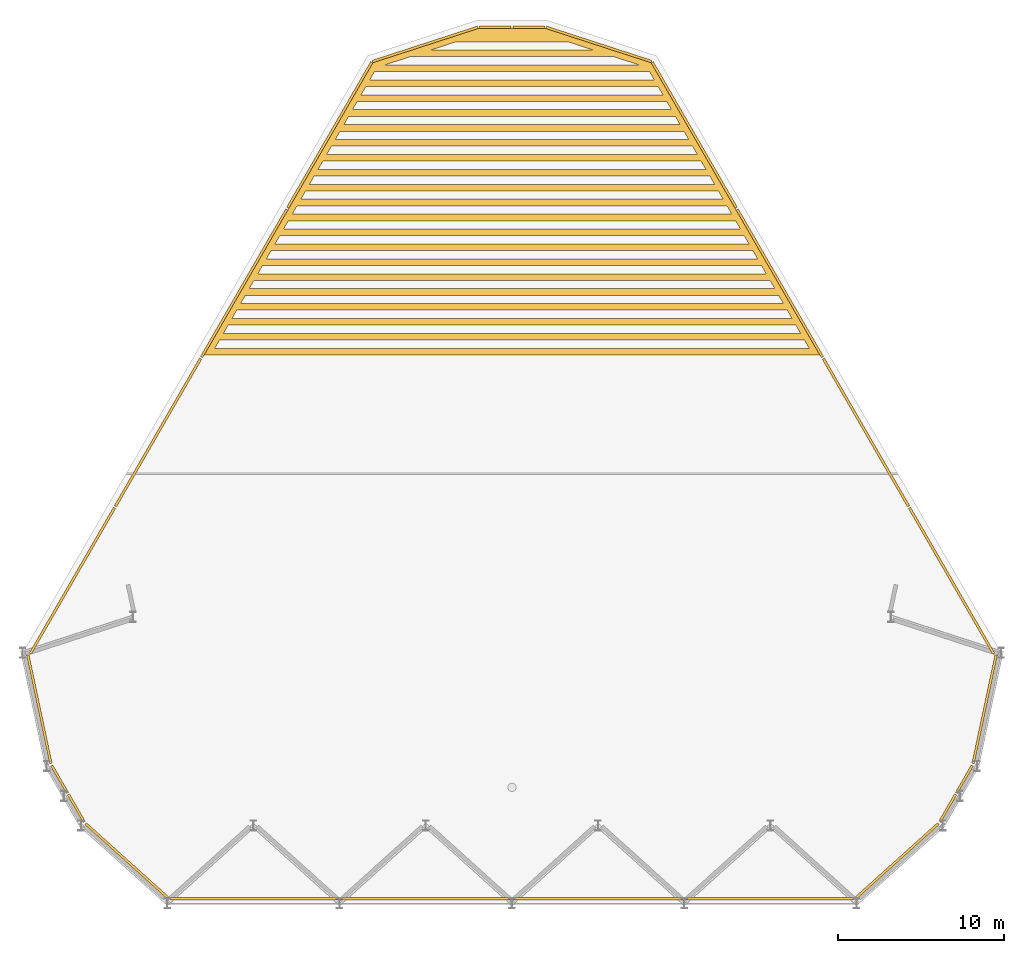
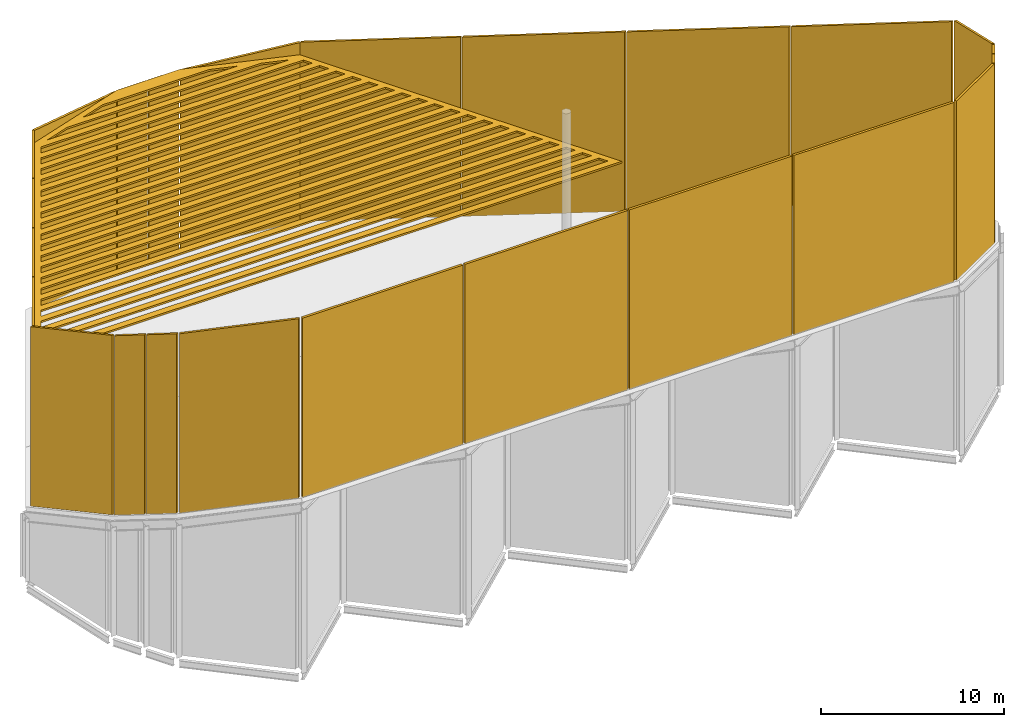
# One storey, part 5 of 5: 24 coverings, 1 shading device.
"""IFC4 building model written with IfcOpenShell, lengths in metres."""

from ifc_helpers import new_model, si_unit, direction, frame, origin, place, context, subcontext, project, spatial, polyline, outline, extrude, material, layer, layer_set, type_object, element, save


model = new_model("IFC4")

# Units and contexts
model_context = context("Model", 3, precision=1e-05, world=origin(), true_north=direction((0.0, 1.0)))
body_context = subcontext(model_context, "Body", "Model", "MODEL_VIEW")
ifc_project = project(units=[si_unit("LENGTHUNIT", "METRE"), si_unit("AREAUNIT", "SQUARE_METRE"), si_unit("VOLUMEUNIT", "CUBIC_METRE"), si_unit("PLANEANGLEUNIT", "RADIAN"), si_unit("MASSUNIT", "GRAM", prefix="KILO")], contexts=[model_context])

# Site, building, storey
site_placement = place(None, origin())
site = spatial("IfcSite", under=ifc_project, at=site_placement, CompositionType="ELEMENT")
building_placement = place(site_placement, origin())
building = spatial("IfcBuilding", under=site, at=building_placement, Name="Cormorant Prow Tower", CompositionType="ELEMENT")
storey_placement = place(building_placement, frame((0.0, 0.0, 447.699951171875)))
storey = spatial("IfcBuildingStorey", under=building, at=storey_placement, Name="L99", CompositionType="ELEMENT", Elevation=447.699951171875)

# Shading device
ifc_material_1 = material(Name="Terracotta", Category="masonry")
ifc_layer_1 = layer(ifc_material_1, 0.1201171875)
ifc_layer_set_1 = layer_set([ifc_layer_1], Name="Terracotta")
shading_device_type = type_object("IfcShadingDeviceType", Name="Crown louvre grille 120", PredefinedType="USERDEFINED", material=ifc_layer_set_1)
shading_device_placement = place(storey_placement, frame((0.0, 0.0, 0.050048828125)))
element("IfcShadingDevice", 1, at=shading_device_placement, inside=storey, type_object=shading_device_type, Name="Crown louvre grille", ObjectType="LOUVRE", PredefinedType="USERDEFINED", context=body_context, shape_type="SweptSolid", body=[
    extrude(outline(polyline([(-1.99462890625, 30.718994140625), (1.99462890625, 30.718994140625), (8.39111328125, 28.640625), (12.23779296875, 21.97802734375), (18.57373046875, 11.00390625), (-18.57373046875, 11.00390625), (-12.23779296875, 21.97802734375), (-8.39111328125, 28.640625), (-1.99462890625, 30.718994140625)]), holes=[polyline([(17.938720703125, 11.40380859375), (-17.938720703125, 11.40380859375), (-17.64990234375, 11.90380859375), (17.64990234375, 11.90380859375), (17.938720703125, 11.40380859375)]), polyline([(17.4189453125, 12.303955078125), (-17.4189453125, 12.303955078125), (-17.13037109375, 12.803955078125), (17.13037109375, 12.803955078125), (17.4189453125, 12.303955078125)]), polyline([(16.8994140625, 13.203857421875), (-16.8994140625, 13.203857421875), (-16.61083984375, 13.703857421875), (16.61083984375, 13.703857421875), (16.8994140625, 13.203857421875)]), polyline([(16.3798828125, 14.10400390625), (-16.3798828125, 14.10400390625), (-16.091064453125, 14.60400390625), (16.091064453125, 14.60400390625), (16.3798828125, 14.10400390625)]), polyline([(15.860107421875, 15.00390625), (-15.860107421875, 15.00390625), (-15.571533203125, 15.50390625), (15.571533203125, 15.50390625), (15.860107421875, 15.00390625)]), polyline([(15.340576171875, 15.90380859375), (-15.340576171875, 15.90380859375), (-15.052001953125, 16.40380859375), (15.052001953125, 16.40380859375), (15.340576171875, 15.90380859375)]), polyline([(14.821044921875, 16.803955078125), (-14.821044921875, 16.803955078125), (-14.5322265625, 17.303955078125), (14.5322265625, 17.303955078125), (14.821044921875, 16.803955078125)]), polyline([(14.30126953125, 17.703857421875), (-14.30126953125, 17.703857421875), (-14.0126953125, 18.203857421875), (14.0126953125, 18.203857421875), (14.30126953125, 17.703857421875)]), polyline([(13.78173828125, 18.60400390625), (-13.78173828125, 18.60400390625), (-13.4931640625, 19.10400390625), (13.4931640625, 19.10400390625), (13.78173828125, 18.60400390625)]), polyline([(13.26220703125, 19.50390625), (-13.26220703125, 19.50390625), (-12.973388671875, 20.00390625), (12.973388671875, 20.00390625), (13.26220703125, 19.50390625)]), polyline([(12.742431640625, 20.40380859375), (-12.742431640625, 20.40380859375), (-12.453857421875, 20.90380859375), (12.453857421875, 20.90380859375), (12.742431640625, 20.40380859375)]), polyline([(11.934814453125, 21.80322265625), (12.222900390625, 21.303955078125), (-12.222900390625, 21.303955078125), (-11.934814453125, 21.80322265625), (-11.934326171875, 21.803955078125), (11.934326171875, 21.803955078125), (11.934814453125, 21.80322265625)]), polyline([(11.703369140625, 22.203857421875), (-11.703369140625, 22.203857421875), (-11.41455078125, 22.703857421875), (11.41455078125, 22.703857421875), (11.703369140625, 22.203857421875)]), polyline([(11.18359375, 23.10400390625), (-11.18359375, 23.10400390625), (-10.89501953125, 23.60400390625), (10.89501953125, 23.60400390625), (11.18359375, 23.10400390625)]), polyline([(10.6640625, 24.00390625), (-10.6640625, 24.00390625), (-10.37548828125, 24.50390625), (10.37548828125, 24.50390625), (10.6640625, 24.00390625)]), polyline([(10.14453125, 24.90380859375), (-10.14453125, 24.90380859375), (-9.855712890625, 25.40380859375), (9.855712890625, 25.40380859375), (10.14453125, 24.90380859375)]), polyline([(9.624755859375, 25.803955078125), (-9.624755859375, 25.803955078125), (-9.336181640625, 26.303955078125), (9.336181640625, 26.303955078125), (9.624755859375, 25.803955078125)]), polyline([(9.105224609375, 26.703857421875), (-9.105224609375, 26.703857421875), (-8.816650390625, 27.203857421875), (8.816650390625, 27.203857421875), (9.105224609375, 26.703857421875)]), polyline([(8.585693359375, 27.60400390625), (-8.585693359375, 27.60400390625), (-8.296875, 28.10400390625), (8.296875, 28.10400390625), (8.585693359375, 27.60400390625)]), polyline([(7.67919921875, 28.50390625), (-7.67919921875, 28.50390625), (-6.140380859375, 29.00390625), (6.140380859375, 29.00390625), (7.67919921875, 28.50390625)]), polyline([(4.909423828125, 29.40380859375), (-4.909423828125, 29.40380859375), (-3.37060546875, 29.90380859375), (3.37060546875, 29.90380859375), (4.909423828125, 29.40380859375)])]), origin(), (0.0, 0.0, 1.0), 0.1201171875),
])

# Coverings
ifc_material_2 = material(Name="Terracotta", Category="masonry")
ifc_layer_2 = layer(ifc_material_2, 0.14990234375)
ifc_layer_set_2 = layer_set([ifc_layer_2], Name="Terracotta")
covering_type = type_object("IfcCoveringType", Name="Crown pleated blade 150", PredefinedType="CLADDING", material=ifc_layer_set_2)
covering_1_placement = place(storey_placement, frame((-20.710205078125, -21.69775390625, 11.327392578125), z_axis=(0.669138172436, 0.743138012881, 0.0), x_axis=(-0.71252735574, 0.641575648623, -0.284051851633)))
element("IfcCovering", 2, at=covering_1_placement, inside=storey, type_object=covering_type, Name="Crown pleated blade 1", PredefinedType="CLADDING", context=body_context, shape_type="SweptSolid", body=[
    extrude(outline(polyline([(0.0, 0.0), (6.974787034437565, -4.440892098500626e-16), (3.566164814846436, 11.505707043207282), (-3.4086222195911287, 11.505707043207284), (0.0, 0.0)])), origin(), (0.0, 0.0, -1.0), 0.14990234375),
])
covering_2_placement = place(storey_placement, frame((-10.4599609375, -21.73779296875, 11.344970703125), z_axis=(0.0, 1.0, 0.0), x_axis=(-1.0, 0.0, 0.0)))
element("IfcCovering", 3, at=covering_2_placement, inside=storey, type_object=covering_type, Name="Crown pleated blade 2", PredefinedType="CLADDING", context=body_context, shape_type="SweptSolid", body=[
    extrude(outline(polyline([(0.0, 0.0), (10.145751953125, 0.0), (10.145751953125, 12.0), (0.0, 12.0), (0.0, 0.0)])), origin(), (0.0, 0.0, -1.0), 0.14990234375),
])
for number, where, z_axis, x_axis, name in (
    (4, (-0.06005859375, -21.73779296875, 11.344970703125), (0.0, 1.0, 0.0), (-1.0, 0.0, 0.0), "Crown pleated blade 3"),
    (5, (10.340087890625, -21.73779296875, 11.344970703125), (0.0, 1.0, 0.0), (-1.0, 0.0, 0.0), "Crown pleated blade 4"),
):
    element("IfcCovering", number, at=place(storey_placement, frame(where, z_axis=z_axis, x_axis=x_axis)), inside=storey, type_object=covering_type, Name=name, PredefinedType="CLADDING", context=body_context, shape_type="SweptSolid", body=[
        extrude(outline(polyline([(0.0, 0.0), (10.280029296875, 0.0), (10.280029296875, 12.0), (0.0, 12.0), (0.0, 0.0)])), origin(), (0.0, 0.0, -1.0), 0.14990234375),
    ])
covering_3_placement = place(storey_placement, frame((20.605712890625, -21.73779296875, 11.344970703125), z_axis=(0.0, 1.0, 0.0), x_axis=(-1.0, 0.0, 0.0)))
element("IfcCovering", 6, at=covering_3_placement, inside=storey, type_object=covering_type, Name="Crown pleated blade 5", PredefinedType="CLADDING", context=body_context, shape_type="SweptSolid", body=[
    extrude(outline(polyline([(0.0, 0.0), (10.145751953125, 0.0), (10.145751953125, 12.0), (0.0, 12.0), (0.0, 0.0)])), origin(), (0.0, 0.0, -1.0), 0.14990234375),
])
covering_4_placement = place(storey_placement, frame((25.679931640625, -17.222900390625, 9.34619140625), z_axis=(-0.669138172436, 0.743138012881, 0.0), x_axis=(-0.71252735574, -0.641575648623, 0.284051851633)))
element("IfcCovering", 7, at=covering_4_placement, inside=storey, type_object=covering_type, Name="Crown pleated blade 6", PredefinedType="CLADDING", context=body_context, shape_type="SweptSolid", body=[
    extrude(outline(polyline([(0.0, 0.0), (6.974787034437565, 4.440892098500626e-16), (10.383409254028694, 11.505707043207284), (3.4086222195911287, 11.505707043207284), (0.0, 0.0)])), origin(), (0.0, 0.0, -1.0), 0.14990234375),
])
covering_5_placement = place(storey_placement, frame((26.703857421875, -15.48681640625, 8.57763671875), z_axis=(-0.86601853819, 0.50001189137, 0.0), x_axis=(-0.466878725884, -0.80863203192, 0.357964372907)))
element("IfcCovering", 8, at=covering_5_placement, inside=storey, type_object=covering_type, Name="Crown pleated blade 7", PredefinedType="CLADDING", context=body_context, shape_type="SweptSolid", body=[
    extrude(outline(polyline([(0.0, 0.0), (2.0331163048873426, 0.0), (6.328688779765473, 11.204822939835747), (4.29557247487813, 11.204822939835747), (0.0, 0.0)])), origin(), (0.0, 0.0, -1.0), 0.14990234375),
])
covering_6_placement = place(storey_placement, frame((27.712890625, -13.73876953125, 7.8037109375), z_axis=(-0.866074224396, 0.499915430684, 0.0), x_axis=(-0.46676474187, -0.808642596282, 0.358089133073)))
element("IfcCovering", 9, at=covering_6_placement, inside=storey, type_object=covering_type, Name="Crown pleated blade 8", PredefinedType="CLADDING", context=body_context, shape_type="SweptSolid", body=[
    extrude(outline(polyline([(0.0, 0.0), (2.0330897436125217, -1.1102230246251565e-16), (6.33015934048961, 11.204248876189542), (4.297069596877089, 11.204248876189542), (0.0, 0.0)])), origin(), (0.0, 0.0, -1.0), 0.14990234375),
])
covering_7_placement = place(storey_placement, frame((29.14599609375, -7.0869140625, 4.85888671875), z_axis=(-0.978140383277, 0.207945643383, 0.0), x_axis=(-0.190821433453, -0.897591058024, 0.397388315242)))
element("IfcCovering", 10, at=covering_7_placement, inside=storey, type_object=covering_type, Name="Crown pleated blade 9", PredefinedType="CLADDING", context=body_context, shape_type="SweptSolid", body=[
    extrude(outline(polyline([(0.0, 0.0), (7.287572338373369, -4.440892098500626e-16), (12.056232121276718, 11.011806567267707), (4.76865978290335, 11.011806567267707), (0.0, 0.0)])), origin(), (0.0, 0.0, -1.0), 0.14990234375),
])
covering_8_placement = place(storey_placement, frame((29.12841796875, -6.97607421875, 4.809814453125), z_axis=(0.866017680951, 0.500013376101, 0.0), x_axis=(-0.466874810725, 0.808622049337, -0.357992028455)))
element("IfcCovering", 11, at=covering_8_placement, inside=storey, type_object=covering_type, Name="Crown pleated blade 10", PredefinedType="CLADDING", context=body_context, shape_type="SweptSolid", body=[
    extrude(outline(polyline([(0.0, 0.0), (10.865863675537057, -8.881784197001252e-16), (6.569959334072654, 11.20469570711259), (-4.295904341464404, 11.204695707112592), (0.0, 0.0)])), origin(), (0.0, 0.0, -1.0), 0.14990234375),
])
covering_9_placement = place(storey_placement, frame((23.99560546875, 1.914306640625, 0.8740234375), z_axis=(0.866015917575, 0.500016430238, 0.0), x_axis=(-0.466876798605, 0.808618906675, -0.357996534468)))
element("IfcCovering", 12, at=covering_9_placement, inside=storey, type_object=covering_type, Name="Crown pleated blade 11", PredefinedType="CLADDING", context=body_context, shape_type="SweptSolid", body=[
    extrude(outline(polyline([(0.0, 0.0), (11.00962124077318, 0.0), (6.713662827159448, 11.204674975585032), (-4.295958413613732, 11.20467497558503), (0.0, 0.0)])), origin(), (0.0, 0.0, -1.0), 0.14990234375),
])
covering_10_placement = place(storey_placement, frame((18.79541015625, 10.9208984375, -3.113525390625), z_axis=(0.86602620146, 0.499998618383, 0.0), x_axis=(-0.466859456747, 0.808627278311, -0.358000240807)))
element("IfcCovering", 13, at=covering_10_placement, inside=storey, type_object=covering_type, Name="Crown pleated blade 12", PredefinedType="CLADDING", context=body_context, shape_type="SweptSolid", body=[
    extrude(outline(polyline([(0.0, 0.0), (11.009507259296685, 0.0), (6.713504369606829, 11.204657923014715), (-4.296002889689856, 11.204657923014715), (0.0, 0.0)])), origin(), (0.0, 0.0, -1.0), 0.14990234375),
])
covering_11_placement = place(storey_placement, frame((13.595458984375, 19.927490234375, -7.100830078125), z_axis=(0.866028100832, 0.499995328547, 0.0), x_axis=(-0.466857239384, 0.808630531726, -0.357995783767)))
element("IfcCovering", 14, at=covering_11_placement, inside=storey, type_object=covering_type, Name="Crown pleated blade 13", PredefinedType="CLADDING", context=body_context, shape_type="SweptSolid", body=[
    extrude(outline(polyline([(0.0, 0.0), (10.865749694573898, -4.440892098500626e-16), (6.569800289369923, 11.204678429474342), (-4.295949405203974, 11.204678429474342), (0.0, 0.0)])), origin(), (0.0, 0.0, -1.0), 0.14990234375),
])
covering_12_placement = place(storey_placement, frame((8.435546875, 28.784423828125, -11.02197265625), z_axis=(0.309034066037, 0.951050969206, 0.0), x_axis=(-0.942275776614, 0.306182658978, -0.1355305875)))
element("IfcCovering", 15, at=covering_12_placement, inside=storey, type_object=covering_type, Name="Crown pleated blade 14", PredefinedType="CLADDING", context=body_context, shape_type="SweptSolid", body=[
    extrude(outline(polyline([(0.0, 0.0), (6.749730365277432, 2.220446049250313e-16), (5.123363315273236, 11.88927795194732), (-1.6263670500041962, 11.88927795194732), (0.0, 0.0)])), origin(), (0.0, 0.0, -1.0), 0.14990234375),
])
for number, where, z_axis, x_axis, name in (
    (16, (1.95849609375, 30.869384765625, -11.945068359375), (0.0, 1.0, 0.0), (-1.0, 0.0, 0.0), "Crown pleated blade 15"),
    (17, (-0.06005859375, 30.869384765625, -11.945068359375), (0.0, 1.0, 0.0), (-1.0, 0.0, 0.0), "Crown pleated blade 16"),
):
    element("IfcCovering", number, at=place(storey_placement, frame(where, z_axis=z_axis, x_axis=x_axis)), inside=storey, type_object=covering_type, Name=name, PredefinedType="CLADDING", context=body_context, shape_type="SweptSolid", body=[
        extrude(outline(polyline([(0.0, 0.0), (1.8984375, 0.0), (1.8984375, 12.0), (0.0, 12.0), (0.0, 0.0)])), origin(), (0.0, 0.0, -1.0), 0.14990234375),
    ])
covering_13_placement = place(storey_placement, frame((-2.075439453125, 30.85107421875, -11.936767578125), z_axis=(-0.309034066037, 0.951050969206, 0.0), x_axis=(-0.942275776614, -0.306182658978, 0.1355305875)))
element("IfcCovering", 18, at=covering_13_placement, inside=storey, type_object=covering_type, Name="Crown pleated blade 17", PredefinedType="CLADDING", context=body_context, shape_type="SweptSolid", body=[
    extrude(outline(polyline([(0.0, 0.0), (6.749730365277432, -2.220446049250313e-16), (8.37609741528163, 11.889277951947319), (1.6263670500041962, 11.88927795194732), (0.0, 0.0)])), origin(), (0.0, 0.0, -1.0), 0.14990234375),
])
covering_14_placement = place(storey_placement, frame((-8.522705078125, 28.7138671875, -10.99072265625), z_axis=(-0.866028100832, 0.499995328547, 0.0), x_axis=(-0.466857239384, -0.808630531726, 0.357995783767)))
element("IfcCovering", 19, at=covering_14_placement, inside=storey, type_object=covering_type, Name="Crown pleated blade 18", PredefinedType="CLADDING", context=body_context, shape_type="SweptSolid", body=[
    extrude(outline(polyline([(0.0, 0.0), (10.865749694573898, 4.440892098500626e-16), (15.16169909977787, 11.204678429474342), (4.295949405203974, 11.204678429474342), (0.0, 0.0)])), origin(), (0.0, 0.0, -1.0), 0.14990234375),
])
covering_15_placement = place(storey_placement, frame((-13.655517578125, 19.823486328125, -7.054931640625), z_axis=(-0.86602620146, 0.499998618383, 0.0), x_axis=(-0.466859456747, -0.808627278311, 0.358000240807)))
element("IfcCovering", 20, at=covering_15_placement, inside=storey, type_object=covering_type, Name="Crown pleated blade 19", PredefinedType="CLADDING", context=body_context, shape_type="SweptSolid", body=[
    extrude(outline(polyline([(0.0, 0.0), (11.009507259296685, 0.0), (15.305510148986542, 11.204657923014715), (4.296002889689856, 11.204657923014715), (0.0, 0.0)])), origin(), (0.0, 0.0, -1.0), 0.14990234375),
])
covering_16_placement = place(storey_placement, frame((-18.85546875, 10.81689453125, -3.0673828125), z_axis=(-0.866015917575, 0.500016430238, 0.0), x_axis=(-0.466876798605, -0.808618906675, 0.357996534468)))
element("IfcCovering", 21, at=covering_16_placement, inside=storey, type_object=covering_type, Name="Crown pleated blade 20", PredefinedType="CLADDING", context=body_context, shape_type="SweptSolid", body=[
    extrude(outline(polyline([(0.0, 0.0), (11.00962124077318, 0.0), (15.305579654386914, 11.204674975585032), (4.295958413613732, 11.20467497558503), (0.0, 0.0)])), origin(), (0.0, 0.0, -1.0), 0.14990234375),
])
covering_17_placement = place(storey_placement, frame((-24.055419921875, 1.810302734375, 0.919921875), z_axis=(-0.866017680951, 0.500013376101, 0.0), x_axis=(-0.466874810725, -0.808622049337, 0.357992028455)))
element("IfcCovering", 22, at=covering_17_placement, inside=storey, type_object=covering_type, Name="Crown pleated blade 21", PredefinedType="CLADDING", context=body_context, shape_type="SweptSolid", body=[
    extrude(outline(polyline([(0.0, 0.0), (10.865863675537057, 8.881784197001252e-16), (15.16176801700146, 11.204695707112592), (4.295904341464404, 11.204695707112592), (0.0, 0.0)])), origin(), (0.0, 0.0, -1.0), 0.14990234375),
])
covering_18_placement = place(storey_placement, frame((-27.75537109375, -13.628173828125, 7.7548828125), z_axis=(0.978140383277, 0.207945643383, 0.0), x_axis=(-0.190821433453, 0.897591058024, -0.397388315242)))
element("IfcCovering", 23, at=covering_18_placement, inside=storey, type_object=covering_type, Name="Crown pleated blade 22", PredefinedType="CLADDING", context=body_context, shape_type="SweptSolid", body=[
    extrude(outline(polyline([(0.0, 0.0), (7.287572338373369, 4.440892098500626e-16), (2.51891255547002, 11.011806567267707), (-4.76865978290335, 11.011806567267707), (0.0, 0.0)])), origin(), (0.0, 0.0, -1.0), 0.14990234375),
])
covering_19_placement = place(storey_placement, frame((-26.763916015625, -15.3828125, 8.53173828125), z_axis=(0.866074224396, 0.499915430684, 0.0), x_axis=(-0.46676474187, 0.808642596282, -0.358089133073)))
element("IfcCovering", 24, at=covering_19_placement, inside=storey, type_object=covering_type, Name="Crown pleated blade 23", PredefinedType="CLADDING", context=body_context, shape_type="SweptSolid", body=[
    extrude(outline(polyline([(0.0, 0.0), (2.0330897436125217, 1.1102230246251565e-16), (-2.2639798532645665, 11.204248876189542), (-4.297069596877089, 11.204248876189542), (0.0, 0.0)])), origin(), (0.0, 0.0, -1.0), 0.14990234375),
])
covering_20_placement = place(storey_placement, frame((-25.754638671875, -17.130859375, 9.305419921875), z_axis=(0.86601853819, 0.50001189137, 0.0), x_axis=(-0.466878725884, 0.80863203192, -0.357964372907)))
element("IfcCovering", 25, at=covering_20_placement, inside=storey, type_object=covering_type, Name="Crown pleated blade 24", PredefinedType="CLADDING", context=body_context, shape_type="SweptSolid", body=[
    extrude(outline(polyline([(0.0, 0.0), (2.0331163048873426, 0.0), (-2.2624561699907875, 11.204822939835749), (-4.29557247487813, 11.204822939835747), (0.0, 0.0)])), origin(), (0.0, 0.0, -1.0), 0.14990234375),
])

save(model, "model.ifc")
